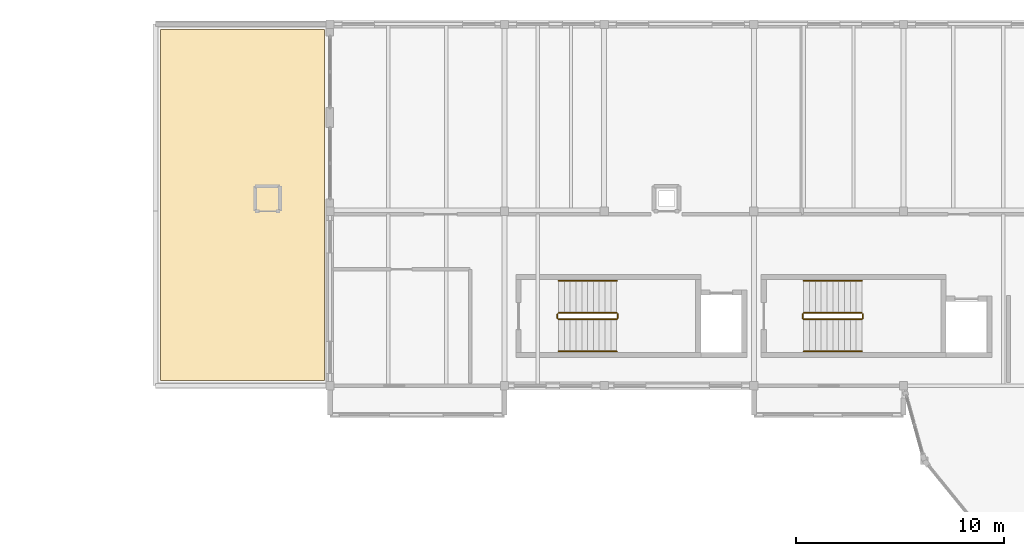
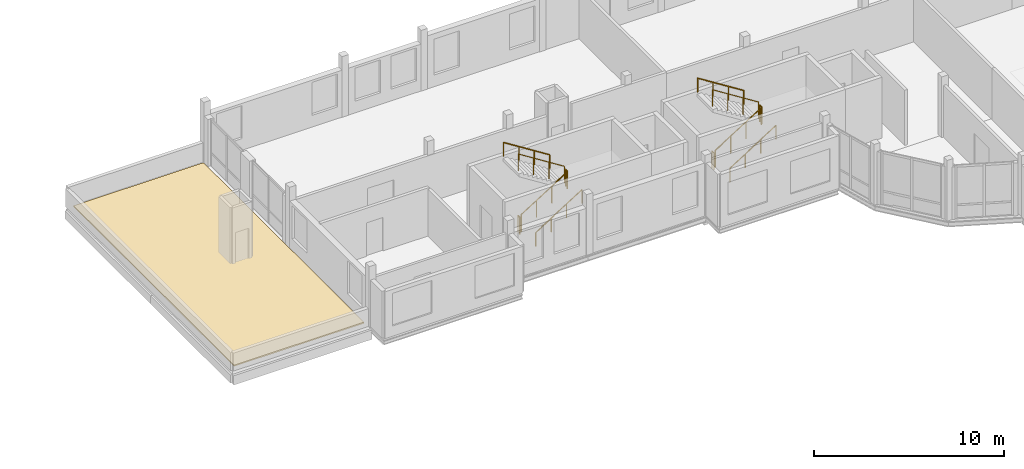
# One storey, part 33 of 34: 12 railings, 1 covering.
"""IFC4 building model written with IfcOpenShell, lengths in metres."""

from ifc_helpers import new_model, si_unit, direction, frame, origin, origin_2d, place, context, subcontext, project, spatial, polyline, circle, outline, extrude, material, layer, layer_set, type_object, element, save


model = new_model("IFC4")

# Units and contexts
model_context = context("Model", 3, precision=1e-05, world=origin(), true_north=direction((0.0, 1.0)))
body_context = subcontext(model_context, "Body", "Model", "MODEL_VIEW")
ifc_project = project(units=[si_unit("LENGTHUNIT", "METRE"), si_unit("AREAUNIT", "SQUARE_METRE"), si_unit("VOLUMEUNIT", "CUBIC_METRE"), si_unit("PLANEANGLEUNIT", "RADIAN"), si_unit("MASSUNIT", "GRAM", prefix="KILO")], contexts=[model_context])

# Site, building, storey
site_placement = place(None, origin())
site = spatial("IfcSite", under=ifc_project, at=site_placement, CompositionType="ELEMENT")
building_placement = place(site_placement, origin())
building = spatial("IfcBuilding", under=site, at=building_placement, Name="Kahlenmark Community Centre", CompositionType="ELEMENT")
storey_placement = place(building_placement, frame((0.0, 0.0, 17.699951171875)))
storey = spatial("IfcBuildingStorey", under=building, at=storey_placement, Name="L04", CompositionType="ELEMENT", Elevation=17.699951171875)

# Covering
ifc_material_1 = material(Name="Extensive sedum green roof substrate")
ifc_layer = layer(ifc_material_1, 0.080078125)
ifc_layer_set = layer_set([ifc_layer], Name="Extensive sedum green roof substrate")
covering_type = type_object("IfcCoveringType", Name="CVT-ROOF-GRN", PredefinedType="ROOFING", material=ifc_layer_set)
covering_placement = place(storey_placement, origin())
element("IfcCovering", 1, at=covering_placement, inside=storey, type_object=covering_type, Name="Roof membrane 07", PredefinedType="ROOFING", context=body_context, shape_type="SweptSolid", body=[
    extrude(outline(polyline([(29.449951171875, 97.85009765625), (37.35009765625, 97.85009765625), (37.35009765625, 114.75), (29.449951171875, 114.75), (29.449951171875, 97.85009765625)])), origin(), (0.0, 0.0, 1.0), 0.080078125),
])

# Railings
ifc_material_2 = material(Name="Brushed stainless steel 1.4301 handrail", Category="steel")
railing_type_1 = type_object("IfcRailingType", Name="RLT-HR-900", PredefinedType="HANDRAIL", material=ifc_material_2)
railing_1_placement = place(storey_placement, frame((48.60009765625, 99.25, 0.17724609375)))
element("IfcRailing", 2, at=railing_1_placement, inside=storey, type_object=railing_type_1, Name="L04 ST-04 stair handrail 1", PredefinedType="HANDRAIL", context=body_context, shape_type="SweptSolid", body=[
    extrude(circle(Radius=0.02392578125, at=origin_2d()), frame((0.0, 0.0, 0.8759765625), z_axis=(0.844887892834, 0.0, 0.53494340686), x_axis=(0.0, 1.0, 0.0)), (0.0, 0.0, 1.0), 3.313720703125),
    extrude(circle(Radius=0.02099609375, at=origin_2d()), origin(), (0.0, 0.0, 1.0), 0.851806640625),
    extrude(circle(Radius=0.02099609375, at=origin_2d()), frame((0.933349609375, 0.0, 0.5908203125)), (0.0, 0.0, 1.0), 0.851806640625),
    extrude(circle(Radius=0.02099609375, at=origin_2d()), frame((1.866455078125, 0.0, 1.181884765625)), (0.0, 0.0, 1.0), 0.851806640625),
    extrude(circle(Radius=0.02099609375, at=origin_2d()), frame((2.7998046875, 0.0, 1.772705078125)), (0.0, 0.0, 1.0), 0.851806640625),
])
railing_2_placement = place(storey_placement, frame((51.39990234375, 102.64990234375, 2.12744140625)))
element("IfcRailing", 3, at=railing_2_placement, inside=storey, type_object=railing_type_1, Name="L04 ST-04 stair handrail 2", PredefinedType="HANDRAIL", context=body_context, shape_type="SweptSolid", body=[
    extrude(circle(Radius=0.02392578125, at=origin_2d()), frame((0.0, 0.0, 0.8759765625), z_axis=(-0.844887892834, 0.0, 0.53494340686), x_axis=(0.0, -1.0, 0.0)), (0.0, 0.0, 1.0), 3.313720703125),
    extrude(circle(Radius=0.02099609375, at=origin_2d()), origin(), (0.0, 0.0, 1.0), 0.851806640625),
    extrude(circle(Radius=0.02099609375, at=origin_2d()), frame((-0.933349609375, 0.0, 0.5908203125)), (0.0, 0.0, 1.0), 0.851806640625),
    extrude(circle(Radius=0.02099609375, at=origin_2d()), frame((-1.866455078125, 0.0, 1.181884765625)), (0.0, 0.0, 1.0), 0.851806640625),
    extrude(circle(Radius=0.02099609375, at=origin_2d()), frame((-2.7998046875, 0.0, 1.772705078125)), (0.0, 0.0, 1.0), 0.851806640625),
])
railing_3_placement = place(storey_placement, frame((60.39990234375, 99.25, 0.17724609375)))
element("IfcRailing", 4, at=railing_3_placement, inside=storey, type_object=railing_type_1, Name="L04 ST-05 stair handrail 1", PredefinedType="HANDRAIL", context=body_context, shape_type="SweptSolid", body=[
    extrude(circle(Radius=0.02392578125, at=origin_2d()), frame((0.0, 0.0, 0.8759765625), z_axis=(0.844908973607, 0.0, 0.534910110503), x_axis=(0.0, 1.0, 0.0)), (0.0, 0.0, 1.0), 3.31396484375),
    extrude(circle(Radius=0.02099609375, at=origin_2d()), origin(), (0.0, 0.0, 1.0), 0.851806640625),
    extrude(circle(Radius=0.02099609375, at=origin_2d()), frame((0.933349609375, 0.0, 0.5908203125)), (0.0, 0.0, 1.0), 0.851806640625),
    extrude(circle(Radius=0.02099609375, at=origin_2d()), frame((1.86669921875, 0.0, 1.181884765625)), (0.0, 0.0, 1.0), 0.851806640625),
    extrude(circle(Radius=0.02099609375, at=origin_2d()), frame((2.800048828125, 0.0, 1.772705078125)), (0.0, 0.0, 1.0), 0.851806640625),
])
railing_4_placement = place(storey_placement, frame((63.199951171875, 102.64990234375, 2.12744140625)))
element("IfcRailing", 5, at=railing_4_placement, inside=storey, type_object=railing_type_1, Name="L04 ST-05 stair handrail 2", PredefinedType="HANDRAIL", context=body_context, shape_type="SweptSolid", body=[
    extrude(circle(Radius=0.02392578125, at=origin_2d()), frame((0.0, 0.0, 0.8759765625), z_axis=(-0.844908973607, 0.0, 0.534910110503), x_axis=(0.0, -1.0, 0.0)), (0.0, 0.0, 1.0), 3.31396484375),
    extrude(circle(Radius=0.02099609375, at=origin_2d()), origin(), (0.0, 0.0, 1.0), 0.851806640625),
    extrude(circle(Radius=0.02099609375, at=origin_2d()), frame((-0.933349609375, 0.0, 0.5908203125)), (0.0, 0.0, 1.0), 0.851806640625),
    extrude(circle(Radius=0.02099609375, at=origin_2d()), frame((-1.86669921875, 0.0, 1.181884765625)), (0.0, 0.0, 1.0), 0.851806640625),
    extrude(circle(Radius=0.02099609375, at=origin_2d()), frame((-2.800048828125, 0.0, 1.772705078125)), (0.0, 0.0, 1.0), 0.851806640625),
])
ifc_material_3 = material(Name="Powder-coated steel stair well guard", Category="steel")
railing_type_2 = type_object("IfcRailingType", Name="RLT-SG-1120", PredefinedType="GUARDRAIL", material=ifc_material_3)
railing_5_placement = place(storey_placement, frame((48.60009765625, 100.800048828125, 0.17724609375)))
element("IfcRailing", 6, at=railing_5_placement, inside=storey, type_object=railing_type_2, Name="L04 ST-04 stair guard 1", PredefinedType="GUARDRAIL", context=body_context, shape_type="SweptSolid", body=[
    extrude(circle(Radius=0.02392578125, at=origin_2d()), frame((0.0, 0.0, 1.076171875), z_axis=(0.844887892834, 0.0, 0.53494340686), x_axis=(0.0, 1.0, 0.0)), (0.0, 0.0, 1.0), 3.313720703125),
    extrude(circle(Radius=0.02099609375, at=origin_2d()), origin(), (0.0, 0.0, 1.0), 1.052001953125),
    extrude(circle(Radius=0.02099609375, at=origin_2d()), frame((0.933349609375, 0.0, 0.5908203125)), (0.0, 0.0, 1.0), 1.052001953125),
    extrude(circle(Radius=0.02099609375, at=origin_2d()), frame((1.866455078125, 0.0, 1.181884765625)), (0.0, 0.0, 1.0), 1.052001953125),
    extrude(circle(Radius=0.02099609375, at=origin_2d()), frame((2.7998046875, 0.0, 1.772705078125)), (0.0, 0.0, 1.0), 1.052001953125),
])
railing_6_placement = place(storey_placement, frame((51.449951171875, 100.85009765625, 1.949951171875)))
element("IfcRailing", 7, at=railing_6_placement, inside=storey, type_object=railing_type_2, Name="L04 ST-04 stair guard 2", PredefinedType="GUARDRAIL", context=body_context, shape_type="SweptSolid", body=[
    extrude(circle(Radius=0.02392578125, at=origin_2d()), frame((0.0, 0.0, 1.076171875), z_axis=(0.0, 1.0, 0.0), x_axis=(-1.0, 0.0, 0.0)), (0.0, 0.0, 1.0), 0.199951171875),
    extrude(circle(Radius=0.02099609375, at=origin_2d()), origin(), (0.0, 0.0, 1.0), 1.052001953125),
    extrude(circle(Radius=0.02099609375, at=origin_2d()), frame((0.0, 0.199951171875, 0.0)), (0.0, 0.0, 1.0), 1.052001953125),
])
railing_7_placement = place(storey_placement, frame((51.39990234375, 101.10009765625, 2.12744140625)))
element("IfcRailing", 8, at=railing_7_placement, inside=storey, type_object=railing_type_2, Name="L04 ST-04 stair guard 3", PredefinedType="GUARDRAIL", context=body_context, shape_type="SweptSolid", body=[
    extrude(circle(Radius=0.02392578125, at=origin_2d()), frame((0.0, 0.0, 1.076171875), z_axis=(-0.844887892834, 0.0, 0.53494340686), x_axis=(0.0, -1.0, 0.0)), (0.0, 0.0, 1.0), 3.313720703125),
    extrude(circle(Radius=0.02099609375, at=origin_2d()), origin(), (0.0, 0.0, 1.0), 1.052001953125),
    extrude(circle(Radius=0.02099609375, at=origin_2d()), frame((-0.933349609375, 0.0, 0.5908203125)), (0.0, 0.0, 1.0), 1.052001953125),
    extrude(circle(Radius=0.02099609375, at=origin_2d()), frame((-1.866455078125, 0.0, 1.181884765625)), (0.0, 0.0, 1.0), 1.052001953125),
    extrude(circle(Radius=0.02099609375, at=origin_2d()), frame((-2.7998046875, 0.0, 1.772705078125)), (0.0, 0.0, 1.0), 1.052001953125),
])
railing_8_placement = place(storey_placement, frame((48.550048828125, 100.85009765625, 0.0)))
element("IfcRailing", 9, at=railing_8_placement, inside=storey, type_object=railing_type_2, Name="L04 ST-04 stair guard 4", PredefinedType="GUARDRAIL", context=body_context, shape_type="SweptSolid", body=[
    extrude(circle(Radius=0.02392578125, at=origin_2d()), frame((0.0, 0.0, 1.076171875), z_axis=(0.0, 1.0, 0.0), x_axis=(-1.0, 0.0, 0.0)), (0.0, 0.0, 1.0), 0.199951171875),
    extrude(circle(Radius=0.02099609375, at=origin_2d()), origin(), (0.0, 0.0, 1.0), 1.052001953125),
    extrude(circle(Radius=0.02099609375, at=origin_2d()), frame((0.0, 0.199951171875, 0.0)), (0.0, 0.0, 1.0), 1.052001953125),
])
railing_9_placement = place(storey_placement, frame((60.39990234375, 100.800048828125, 0.17724609375)))
element("IfcRailing", 10, at=railing_9_placement, inside=storey, type_object=railing_type_2, Name="L04 ST-05 stair guard 1", PredefinedType="GUARDRAIL", context=body_context, shape_type="SweptSolid", body=[
    extrude(circle(Radius=0.02392578125, at=origin_2d()), frame((0.0, 0.0, 1.076171875), z_axis=(0.844908973607, 0.0, 0.534910110503), x_axis=(0.0, 1.0, 0.0)), (0.0, 0.0, 1.0), 3.31396484375),
    extrude(circle(Radius=0.02099609375, at=origin_2d()), origin(), (0.0, 0.0, 1.0), 1.052001953125),
    extrude(circle(Radius=0.02099609375, at=origin_2d()), frame((0.933349609375, 0.0, 0.5908203125)), (0.0, 0.0, 1.0), 1.052001953125),
    extrude(circle(Radius=0.02099609375, at=origin_2d()), frame((1.86669921875, 0.0, 1.181884765625)), (0.0, 0.0, 1.0), 1.052001953125),
    extrude(circle(Radius=0.02099609375, at=origin_2d()), frame((2.800048828125, 0.0, 1.772705078125)), (0.0, 0.0, 1.0), 1.052001953125),
])
railing_10_placement = place(storey_placement, frame((63.25, 100.85009765625, 1.949951171875)))
element("IfcRailing", 11, at=railing_10_placement, inside=storey, type_object=railing_type_2, Name="L04 ST-05 stair guard 2", PredefinedType="GUARDRAIL", context=body_context, shape_type="SweptSolid", body=[
    extrude(circle(Radius=0.02392578125, at=origin_2d()), frame((0.0, 0.0, 1.076171875), z_axis=(0.0, 1.0, 0.0), x_axis=(-1.0, 0.0, 0.0)), (0.0, 0.0, 1.0), 0.199951171875),
    extrude(circle(Radius=0.02099609375, at=origin_2d()), origin(), (0.0, 0.0, 1.0), 1.052001953125),
    extrude(circle(Radius=0.02099609375, at=origin_2d()), frame((0.0, 0.199951171875, 0.0)), (0.0, 0.0, 1.0), 1.052001953125),
])
railing_11_placement = place(storey_placement, frame((63.199951171875, 101.10009765625, 2.12744140625)))
element("IfcRailing", 12, at=railing_11_placement, inside=storey, type_object=railing_type_2, Name="L04 ST-05 stair guard 3", PredefinedType="GUARDRAIL", context=body_context, shape_type="SweptSolid", body=[
    extrude(circle(Radius=0.02392578125, at=origin_2d()), frame((0.0, 0.0, 1.076171875), z_axis=(-0.844908973607, 0.0, 0.534910110503), x_axis=(0.0, -1.0, 0.0)), (0.0, 0.0, 1.0), 3.31396484375),
    extrude(circle(Radius=0.02099609375, at=origin_2d()), origin(), (0.0, 0.0, 1.0), 1.052001953125),
    extrude(circle(Radius=0.02099609375, at=origin_2d()), frame((-0.933349609375, 0.0, 0.5908203125)), (0.0, 0.0, 1.0), 1.052001953125),
    extrude(circle(Radius=0.02099609375, at=origin_2d()), frame((-1.86669921875, 0.0, 1.181884765625)), (0.0, 0.0, 1.0), 1.052001953125),
    extrude(circle(Radius=0.02099609375, at=origin_2d()), frame((-2.800048828125, 0.0, 1.772705078125)), (0.0, 0.0, 1.0), 1.052001953125),
])
railing_12_placement = place(storey_placement, frame((60.35009765625, 100.85009765625, 0.0)))
element("IfcRailing", 13, at=railing_12_placement, inside=storey, type_object=railing_type_2, Name="L04 ST-05 stair guard 4", PredefinedType="GUARDRAIL", context=body_context, shape_type="SweptSolid", body=[
    extrude(circle(Radius=0.02392578125, at=origin_2d()), frame((0.0, 0.0, 1.076171875), z_axis=(0.0, 1.0, 0.0), x_axis=(-1.0, 0.0, 0.0)), (0.0, 0.0, 1.0), 0.199951171875),
    extrude(circle(Radius=0.02099609375, at=origin_2d()), origin(), (0.0, 0.0, 1.0), 1.052001953125),
    extrude(circle(Radius=0.02099609375, at=origin_2d()), frame((0.0, 0.199951171875, 0.0)), (0.0, 0.0, 1.0), 1.052001953125),
])

save(model, "model.ifc")
